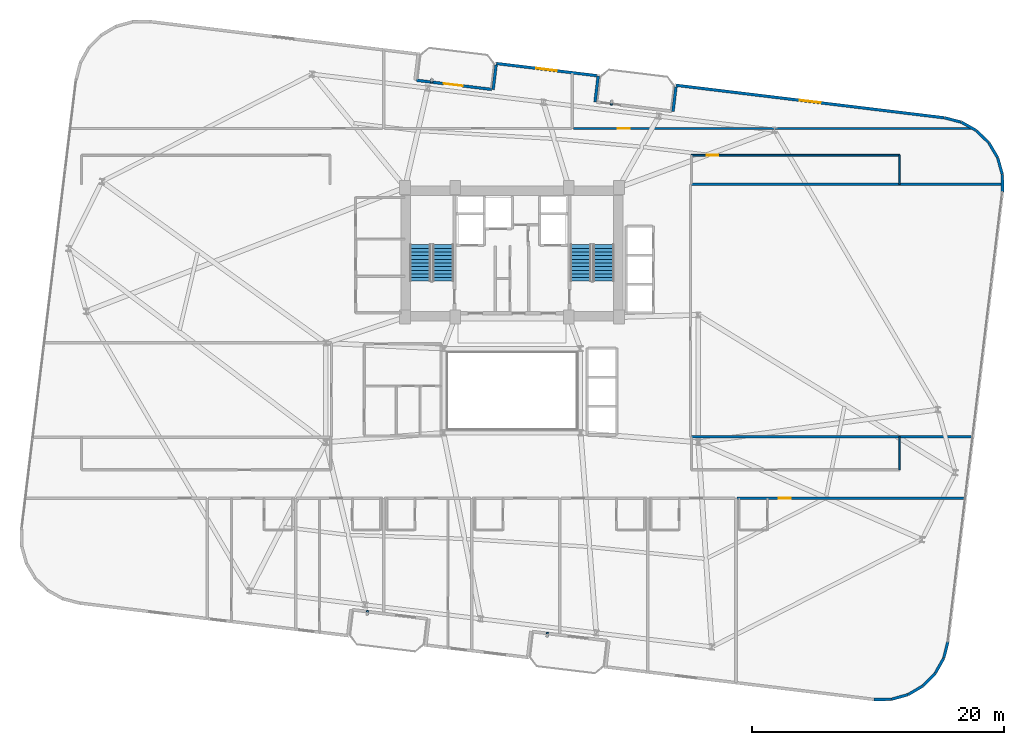
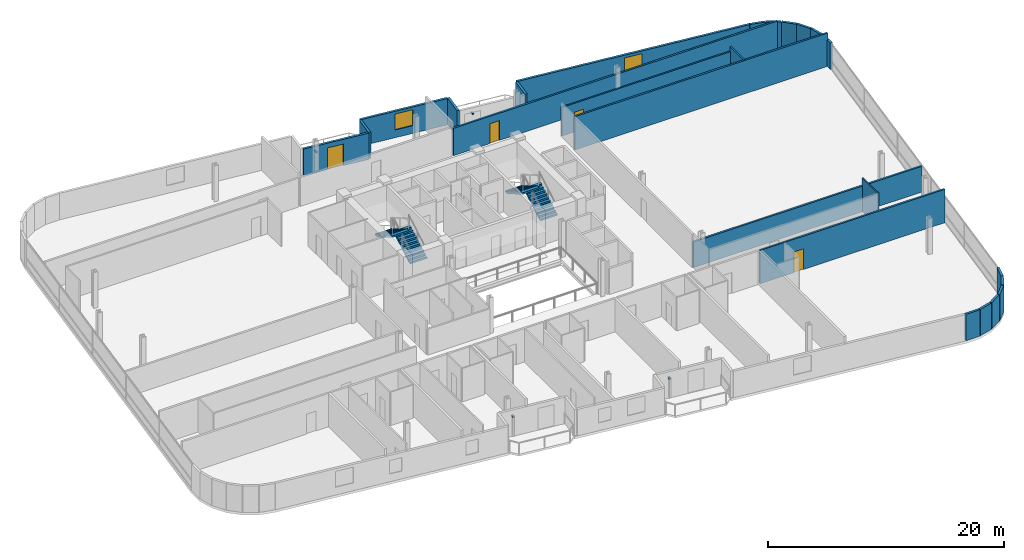
# One storey, part 24 of 26: 25 walls, 4 discrete accessories, 4 doors, 4 stair flights, 2 windows, 6 openings, 2 elements without a shape of their own.
"""IFC4 building model written with IfcOpenShell, lengths in metres."""

from ifc_helpers import new_model, si_unit, direction, frame, frame_2d, origin, origin_2d, place, context, subcontext, project, spatial, polyline, rectangle, outline, extrude, source, transform, mapped, material, layer, layer_set, type_object, element, fill, aggregate, save


model = new_model("IFC4")

# Units and contexts
model_context = context("Model", 3, precision=1e-05, world=origin(), true_north=direction((0.0, 1.0)))
body_context = subcontext(model_context, "Body", "Model", "MODEL_VIEW")
ifc_project = project(units=[si_unit("LENGTHUNIT", "METRE"), si_unit("AREAUNIT", "SQUARE_METRE"), si_unit("VOLUMEUNIT", "CUBIC_METRE"), si_unit("PLANEANGLEUNIT", "RADIAN"), si_unit("MASSUNIT", "GRAM", prefix="KILO")], contexts=[model_context])

# Site, building, storey
site_placement = place(None, origin())
site = spatial("IfcSite", under=ifc_project, at=site_placement, CompositionType="ELEMENT")
building_placement = place(site_placement, origin())
building = spatial("IfcBuilding", under=site, at=building_placement, Name="Varnelok Gate Tower", CompositionType="ELEMENT")
storey_placement = place(building_placement, frame((0.0, 0.0, 155.0)))
storey = spatial("IfcBuildingStorey", under=building, at=storey_placement, Name="L39", CompositionType="ELEMENT", Elevation=155.0)

# Wall, opening, door
ifc_material_1 = material(Name="Concrete C45/55", Category="concrete")
ifc_layer_1 = layer(ifc_material_1, 0.219970703125)
ifc_layer_set_1 = layer_set([ifc_layer_1], Name="Concrete C45/55")
wall_type_1 = type_object("IfcWallType", Name="EW-BALC-220", PredefinedType="SOLIDWALL", material=ifc_layer_set_1)
wall_1_placement = place(storey_placement, frame((31.624267578125, 47.5634765625, 0.0), z_axis=(0.0, 0.0, 1.0), x_axis=(0.992729951822, -0.120362962556, 0.0)))
wall_1 = element("IfcWall", 1, at=wall_1_placement, inside=storey, type_object=wall_type_1, Name="L39 North Terrace Envelope Wall 3", PredefinedType="SOLIDWALL", context=body_context, shape_type="SweptSolid", body=[
    extrude(rectangle(XDim=6.0, YDim=0.219970703125, at=frame_2d((3.0, 0.0))), origin(), (0.0, 0.0, 1.0), 2.72998046875),
])
opening_1_placement = place(wall_1_placement, frame((2.176025390625, 0.0, 0.0)))
opening_1 = element("IfcOpeningElement", 2, at=opening_1_placement, cuts=wall_1, Name="Opening BD-1", PredefinedType="OPENING", context=body_context, shape_type="SweptSolid", body=[
    extrude(rectangle(XDim=1.5, YDim=2.25, at=frame_2d((0.75, 1.125))), frame((0.0, 0.119873046875, 0.0), z_axis=(0.0, -1.0, 0.0), x_axis=(1.0, 0.0, 0.0)), (0.0, 0.0, 1.0), 0.239990234375),
])
ifc_material_2 = material(Name="Anodized Aluminum Alloy 6063-T6", Category="aluminium")
door_type_1 = type_object("IfcDoorType", Name="DR-EXT-BALC1500", OperationType="NOTDEFINED", PredefinedType="DOOR", material=ifc_material_2)
door_1_placement = place(opening_1_placement, origin())
door_1 = element("IfcDoor", 3, at=door_1_placement, inside=storey, type_object=door_type_1, Name="L39 North Balcony Glazed Door 3", OperationType="SINGLE_SWING_RIGHT", OverallHeight=2.25, OverallWidth=1.5, PredefinedType="DOOR", context=body_context, shape_type="SweptSolid", body=[
    extrude(rectangle(XDim=1.5, YDim=2.25, at=frame_2d((0.75, 1.125))), frame((0.0, 0.02490234375, 0.0), z_axis=(0.0, -1.0, 0.0), x_axis=(1.0, 0.0, 0.0)), (0.0, 0.0, 1.0), 0.050048828125),
])
fill(opening_1, door_1)

# Walls
wall_2_placement = place(storey_placement, frame((67.984375, -1.63671875, 0.0), z_axis=(0.0, 0.0, 1.0), x_axis=(0.999945887077, 0.010403024475, 0.0)))
element("IfcWall", 4, at=wall_2_placement, inside=storey, type_object=wall_type_1, Name="L39 Perimeter Facade Closure Wall 14", PredefinedType="SOLIDWALL", context=body_context, shape_type="SweptSolid", body=[
    extrude(rectangle(XDim=1.361083984375, YDim=0.219970703125, at=frame_2d((0.6806640625, 0.0))), origin(), (0.0, 0.0, 1.0), 2.72998046875),
])
wall_3_placement = place(storey_placement, frame((69.369384765625, -1.615966796875, 0.0), z_axis=(0.0, 0.0, 1.0), x_axis=(0.963194128812, 0.268806752562, 0.0)))
element("IfcWall", 5, at=wall_3_placement, inside=storey, type_object=wall_type_1, Name="L39 Perimeter Facade Closure Wall 15", PredefinedType="SOLIDWALL", context=body_context, shape_type="SweptSolid", body=[
    extrude(rectangle(XDim=1.353271484375, YDim=0.219970703125, at=frame_2d((0.6767578125, 0.0))), origin(), (0.0, 0.0, 1.0), 2.72998046875),
])
for number, where, z_axis, x_axis, name in (
    (6, (70.6943359375, -1.239501953125, 0.0), (0.0, 0.0, 1.0), (0.860865455241, 0.508832652228, 0.0), "L39 Perimeter Facade Closure Wall 16"),
    (7, (71.876708984375, -0.533203125, 0.0), (0.0, 0.0, 1.0), (0.69976104234, 0.714376989847, 0.0), "L39 Perimeter Facade Closure Wall 17"),
    (8, (72.835693359375, 0.455078125, 0.0), (0.0, 0.0, 1.0), (0.491117621399, 0.871093268227, 0.0), "L39 Perimeter Facade Closure Wall 18"),
):
    element("IfcWall", number, at=place(storey_placement, frame(where, z_axis=z_axis, x_axis=x_axis)), inside=storey, type_object=wall_type_1, Name=name, PredefinedType="SOLIDWALL", context=body_context, shape_type="SweptSolid", body=[
        extrude(rectangle(XDim=1.35302734375, YDim=0.219970703125, at=frame_2d((0.676513671875, 0.0))), origin(), (0.0, 0.0, 1.0), 2.72998046875),
    ])
wall_4_placement = place(storey_placement, frame((73.506591796875, 1.658203125, 0.0), z_axis=(0.0, 0.0, 1.0), x_axis=(0.248857256909, 0.968540172468, 0.0)))
element("IfcWall", 9, at=wall_4_placement, inside=storey, type_object=wall_type_1, Name="L39 Perimeter Facade Closure Wall 19", PredefinedType="SOLIDWALL", context=body_context, shape_type="SweptSolid", body=[
    extrude(rectangle(XDim=1.352783203125, YDim=0.219970703125, at=frame_2d((0.67626953125, 0.0))), origin(), (0.0, 0.0, 1.0), 2.72998046875),
])
wall_5_placement = place(storey_placement, frame((78.175537109375, 38.706787109375, 0.0), z_axis=(0.0, 0.0, 1.0), x_axis=(-0.010096916637, 0.999949024838, 0.0)))
element("IfcWall", 10, at=wall_5_placement, inside=storey, type_object=wall_type_1, Name="L39 Perimeter Facade Closure Wall 20", PredefinedType="SOLIDWALL", context=body_context, shape_type="SweptSolid", body=[
    extrude(rectangle(XDim=1.378173828125, YDim=0.219970703125, at=frame_2d((0.68896484375, 0.0))), origin(), (0.0, 0.0, 1.0), 2.72998046875),
])
wall_6_placement = place(storey_placement, frame((78.15478515625, 40.10888671875, 0.0), z_axis=(0.0, 0.0, 1.0), x_axis=(-0.268639368869, 0.963240826322, 0.0)))
element("IfcWall", 11, at=wall_6_placement, inside=storey, type_object=wall_type_1, Name="L39 Perimeter Facade Closure Wall 21", PredefinedType="SOLIDWALL", context=body_context, shape_type="SweptSolid", body=[
    extrude(rectangle(XDim=1.353271484375, YDim=0.219970703125, at=frame_2d((0.6767578125, 0.0))), origin(), (0.0, 0.0, 1.0), 2.72998046875),
])
for number, where, z_axis, x_axis, name in (
    (12, (77.7783203125, 41.433837890625, 0.0), (0.0, 0.0, 1.0), (-0.508698913794, 0.860944490142, 0.0), "L39 Perimeter Facade Closure Wall 22"),
    (13, (77.072265625, 42.6162109375, 0.0), (0.0, 0.0, 1.0), (-0.714376989847, 0.69976104234, 0.0), "L39 Perimeter Facade Closure Wall 23"),
    (14, (76.083740234375, 43.5751953125, 0.0), (0.0, 0.0, 1.0), (-0.871093268227, 0.491117621399, 0.0), "L39 Perimeter Facade Closure Wall 24"),
):
    element("IfcWall", number, at=place(storey_placement, frame(where, z_axis=z_axis, x_axis=x_axis)), inside=storey, type_object=wall_type_1, Name=name, PredefinedType="SOLIDWALL", context=body_context, shape_type="SweptSolid", body=[
        extrude(rectangle(XDim=1.35302734375, YDim=0.219970703125, at=frame_2d((0.676513671875, 0.0))), origin(), (0.0, 0.0, 1.0), 2.72998046875),
    ])
wall_7_placement = place(storey_placement, frame((74.880859375, 44.24609375, 0.0), z_axis=(0.0, 0.0, 1.0), x_axis=(-0.968549775063, 0.248819881091, 0.0)))
element("IfcWall", 15, at=wall_7_placement, inside=storey, type_object=wall_type_1, Name="L39 Perimeter Facade Closure Wall 25", PredefinedType="SOLIDWALL", context=body_context, shape_type="SweptSolid", body=[
    extrude(rectangle(XDim=1.36083984375, YDim=0.219970703125, at=frame_2d((0.680419921875, 0.0))), origin(), (0.0, 0.0, 1.0), 2.72998046875),
])

# Wall, opening, window
wall_8_placement = place(storey_placement, frame((73.537841796875, 44.587890625, 0.0), z_axis=(0.0, 0.0, 1.0), x_axis=(-0.992733493583, 0.120333747213, 0.0)))
wall_8 = element("IfcWall", 16, at=wall_8_placement, inside=storey, type_object=wall_type_1, Name="L39 Perimeter Facade Closure Wall 26", PredefinedType="SOLIDWALL", context=body_context, shape_type="SweptSolid", body=[
    extrude(rectangle(XDim=21.447021484375, YDim=0.219970703125, at=frame_2d((10.7236328125, 0.0))), origin(), (0.0, 0.0, 1.0), 2.72998046875),
])
opening_2_placement = place(wall_8_placement, frame((9.898681640625, 0.0, 0.800048828125)))
opening_2 = element("IfcOpeningElement", 17, at=opening_2_placement, cuts=wall_8, Name="Opening WN3", PredefinedType="OPENING", context=body_context, shape_type="SweptSolid", body=[
    extrude(rectangle(XDim=1.64990234375, YDim=1.64990234375, at=frame_2d((0.824951171875, 0.824951171875))), frame((0.0, 0.119873046875, 0.0), z_axis=(0.0, -1.0, 0.0), x_axis=(1.0, 0.0, 0.0)), (0.0, 0.0, 1.0), 0.239990234375),
])
ifc_material_3 = material(Name="Low-E Laminated Double Glazing IGU", Category="glass")
window_type = type_object("IfcWindowType", Name="WN-HTL-1650", PartitioningType="SINGLE_PANEL", PredefinedType="WINDOW", material=ifc_material_3)
window_1_placement = place(opening_2_placement, origin())
window_1 = element("IfcWindow", 18, at=window_1_placement, inside=storey, type_object=window_type, Name="L39 Perimeter Vision Window 26", OverallHeight=1.64990234375, OverallWidth=1.64990234375, PartitioningType="SINGLE_PANEL", PredefinedType="WINDOW", context=body_context, shape_type="SweptSolid", body=[
    extrude(rectangle(XDim=1.64990234375, YDim=1.64990234375, at=frame_2d((0.824951171875, 0.824951171875))), frame((0.0, 0.030029296875, 0.0), z_axis=(0.0, -1.0, 0.0), x_axis=(1.0, 0.0, 0.0)), (0.0, 0.0, 1.0), 0.06005859375),
])
fill(opening_2, window_1)

# Walls
wall_9_placement = place(storey_placement, frame((52.2314453125, 47.044677734375, 0.0), z_axis=(0.0, 0.0, 1.0), x_axis=(-0.120275992932, -0.992740492538, 0.0)))
element("IfcWall", 19, at=wall_9_placement, inside=storey, type_object=wall_type_1, Name="L39 Perimeter Facade Closure Wall 27", PredefinedType="SOLIDWALL", context=body_context, shape_type="SweptSolid", body=[
    extrude(rectangle(XDim=1.97509765625, YDim=0.219970703125, at=frame_2d((0.987548828125, 0.0))), origin(), (0.0, 0.0, 1.0), 2.72998046875),
])
wall_10_placement = place(storey_placement, frame((45.79931640625, 45.8349609375, 0.0), z_axis=(0.0, 0.0, 1.0), x_axis=(0.120314009587, 0.992735885871, 0.0)))
element("IfcWall", 20, at=wall_10_placement, inside=storey, type_object=wall_type_1, Name="L39 Perimeter Facade Closure Wall 28", PredefinedType="SOLIDWALL", context=body_context, shape_type="SweptSolid", body=[
    extrude(rectangle(XDim=2.10009765625, YDim=0.219970703125, at=frame_2d((1.050048828125, 0.0))), origin(), (0.0, 0.0, 1.0), 2.72998046875),
])

# Wall, opening, window
wall_11_placement = place(storey_placement, frame((45.927734375, 47.934814453125, 0.0), z_axis=(0.0, 0.0, 1.0), x_axis=(-0.992730591876, 0.120357683402, 0.0)))
wall_11 = element("IfcWall", 21, at=wall_11_placement, inside=storey, type_object=wall_type_1, Name="L39 Perimeter Facade Closure Wall 29", PredefinedType="SOLIDWALL", context=body_context, shape_type="SweptSolid", body=[
    extrude(rectangle(XDim=8.03466796875, YDim=0.219970703125, at=frame_2d((4.017333984375, 0.0))), origin(), (0.0, 0.0, 1.0), 2.72998046875),
])
opening_3_placement = place(wall_11_placement, frame((3.1923828125, 0.0, 0.800048828125)))
opening_3 = element("IfcOpeningElement", 22, at=opening_3_placement, cuts=wall_11, Name="Opening WN3", PredefinedType="OPENING", context=body_context, shape_type="SweptSolid", body=[
    extrude(rectangle(XDim=1.64990234375, YDim=1.64990234375, at=frame_2d((0.824951171875, 0.824951171875))), frame((0.0, 0.119873046875, 0.0), z_axis=(0.0, -1.0, 0.0), x_axis=(1.0, 0.0, 0.0)), (0.0, 0.0, 1.0), 0.239990234375),
])
window_2_placement = place(opening_3_placement, origin())
window_2 = element("IfcWindow", 23, at=window_2_placement, inside=storey, type_object=window_type, Name="L39 Perimeter Vision Window 29", OverallHeight=1.64990234375, OverallWidth=1.64990234375, PartitioningType="SINGLE_PANEL", PredefinedType="WINDOW", context=body_context, shape_type="SweptSolid", body=[
    extrude(rectangle(XDim=1.64990234375, YDim=1.64990234375, at=frame_2d((0.824951171875, 0.824951171875))), frame((0.0, 0.030029296875, 0.0), z_axis=(0.0, -1.0, 0.0), x_axis=(1.0, 0.0, 0.0)), (0.0, 0.0, 1.0), 0.06005859375),
])
fill(opening_3, window_2)

# Wall
wall_12_placement = place(storey_placement, frame((37.936279296875, 48.777587890625, 0.0), z_axis=(0.0, 0.0, 1.0), x_axis=(-0.120397815541, -0.992725725472, 0.0)))
element("IfcWall", 24, at=wall_12_placement, inside=storey, type_object=wall_type_1, Name="L39 Perimeter Facade Closure Wall 30", PredefinedType="SOLIDWALL", context=body_context, shape_type="SweptSolid", body=[
    extrude(rectangle(XDim=1.97509765625, YDim=0.219970703125, at=frame_2d((0.987548828125, 0.0))), origin(), (0.0, 0.0, 1.0), 2.72998046875),
])

# Wall, opening, door
ifc_material_4 = material(Name="Gypsum Plasterboard Acoustic Partition", Category="gypsum")
ifc_layer_2 = layer(ifc_material_4, 0.179931640625)
ifc_layer_set_2 = layer_set([ifc_layer_2], Name="Gypsum Plasterboard Acoustic Partition")
wall_type_2 = type_object("IfcWallType", Name="PW-CORR-180", PredefinedType="PARTITIONING", material=ifc_layer_set_2)
wall_13_placement = place(storey_placement, frame((57.080078125, 14.35009765625, 0.0), z_axis=(0.0, 0.0, 1.0), x_axis=(1.0, 0.0, 0.0)))
wall_13 = element("IfcWall", 25, at=wall_13_placement, inside=storey, type_object=wall_type_2, Name="Interior Partition", PredefinedType="PARTITIONING", context=body_context, shape_type="SweptSolid", body=[
    extrude(rectangle(XDim=18.083740234375, YDim=0.179931640625, at=frame_2d((9.0419921875, 0.0))), origin(), (0.0, 0.0, 1.0), 3.449951171875),
])
opening_4_placement = place(wall_13_placement, frame((3.320068359375, 0.0, 0.0)))
opening_4 = element("IfcOpeningElement", 26, at=opening_4_placement, cuts=wall_13, Name="Opening D-HT", PredefinedType="OPENING", context=body_context, shape_type="SweptSolid", body=[
    extrude(rectangle(XDim=0.949951171875, YDim=2.14990234375, at=frame_2d((0.47509765625, 1.074951171875))), frame((0.0, 0.099853515625, 0.0), z_axis=(0.0, -1.0, 0.0), x_axis=(1.0, 0.0, 0.0)), (0.0, 0.0, 1.0), 0.199951171875),
])
ifc_material_5 = material(Name="Engineered Hardwood Timber", Category="wood")
door_type_2 = type_object("IfcDoorType", Name="DR-HTL-950", OperationType="NOTDEFINED", PredefinedType="DOOR", material=ifc_material_5)
door_2_placement = place(opening_4_placement, origin())
door_2 = element("IfcDoor", 27, at=door_2_placement, inside=storey, type_object=door_type_2, Name="L39 Guest Room 08 Entrance Door", OperationType="SINGLE_SWING_LEFT", OverallHeight=2.14990234375, OverallWidth=0.949951171875, PredefinedType="DOOR", context=body_context, shape_type="SweptSolid", body=[
    extrude(rectangle(XDim=0.949951171875, YDim=2.14990234375, at=frame_2d((0.47509765625, 1.074951171875))), frame((0.0, 0.02490234375, 0.0), z_axis=(0.0, -1.0, 0.0), x_axis=(1.0, 0.0, 0.0)), (0.0, 0.0, 1.0), 0.050048828125),
])
fill(opening_4, door_2)

wall_14_placement = place(storey_placement, frame((44.080078125, 43.72998046875, 0.0), z_axis=(0.0, 0.0, 1.0), x_axis=(1.0, 0.0, 0.0)))
wall_14 = element("IfcWall", 28, at=wall_14_placement, inside=storey, type_object=wall_type_2, Name="Interior Partition", PredefinedType="PARTITIONING", context=body_context, shape_type="SweptSolid", body=[
    extrude(rectangle(XDim=31.689208984375, YDim=0.179931640625, at=frame_2d((15.8447265625, 0.0))), origin(), (0.0, 0.0, 1.0), 2.823974609375),
])
opening_5_placement = place(wall_14_placement, frame((3.534912109375, 0.0, 0.0)))
opening_5 = element("IfcOpeningElement", 29, at=opening_5_placement, cuts=wall_14, Name="Opening D-I2", PredefinedType="OPENING", context=body_context, shape_type="SweptSolid", body=[
    extrude(rectangle(XDim=0.949951171875, YDim=2.050048828125, at=frame_2d((0.47509765625, 1.02490234375))), frame((0.0, 0.099853515625, 0.0), z_axis=(0.0, -1.0, 0.0), x_axis=(1.0, 0.0, 0.0)), (0.0, 0.0, 1.0), 0.199951171875),
])
door_type_3 = type_object("IfcDoorType", Name="DR-INT-950", OperationType="NOTDEFINED", PredefinedType="DOOR", material=ifc_material_5)
door_3_placement = place(opening_5_placement, origin())
door_3 = element("IfcDoor", 30, at=door_3_placement, inside=storey, type_object=door_type_3, Name="L39 Wellness Spa Lounge Door", OperationType="SINGLE_SWING_LEFT", OverallHeight=2.050048828125, OverallWidth=0.949951171875, PredefinedType="DOOR", context=body_context, shape_type="SweptSolid", body=[
    extrude(rectangle(XDim=0.949951171875, YDim=2.050048828125, at=frame_2d((0.47509765625, 1.02490234375))), frame((0.0, 0.02490234375, 0.0), z_axis=(0.0, -1.0, 0.0), x_axis=(1.0, 0.0, 0.0)), (0.0, 0.0, 1.0), 0.050048828125),
])
fill(opening_5, door_3)

# Walls
wall_15_placement = place(storey_placement, frame((53.389892578125, 19.239990234375, 0.0), z_axis=(0.0, 0.0, 1.0), x_axis=(1.0, 0.0, 0.0)))
element("IfcWall", 31, at=wall_15_placement, inside=storey, type_object=wall_type_2, Name="Interior Partition", PredefinedType="PARTITIONING", context=body_context, shape_type="SweptSolid", body=[
    extrude(rectangle(XDim=22.36669921875, YDim=0.179931640625, at=frame_2d((11.183349609375, 0.0))), origin(), (0.0, 0.0, 1.0), 2.662109375),
])
wall_16_placement = place(storey_placement, frame((53.389892578125, 39.300048828125, 0.0), z_axis=(0.0, 0.0, 1.0), x_axis=(1.0, 0.0, 0.0)))
element("IfcWall", 32, at=wall_16_placement, inside=storey, type_object=wall_type_2, Name="Interior Partition", PredefinedType="PARTITIONING", context=body_context, shape_type="SweptSolid", body=[
    extrude(rectangle(XDim=24.73974609375, YDim=0.179931640625, at=frame_2d((12.369873046875, 0.0))), origin(), (0.0, 0.0, 1.0), 3.449951171875),
])
ifc_layer_3 = layer(ifc_material_4, 0.125)
ifc_layer_set_3 = layer_set([ifc_layer_3], Name="Gypsum Plasterboard Acoustic Partition")
wall_type_3 = type_object("IfcWallType", Name="PW-PART-125", PredefinedType="PARTITIONING", material=ifc_layer_set_3)
wall_17_placement = place(storey_placement, frame((70.0, 16.610107421875, 0.0), z_axis=(0.0, 0.0, 1.0), x_axis=(0.0, 1.0, 0.0)))
element("IfcWall", 33, at=wall_17_placement, inside=storey, type_object=wall_type_3, Name="Interior Partition", PredefinedType="PARTITIONING", context=body_context, shape_type="SweptSolid", body=[
    extrude(rectangle(XDim=2.6298828125, YDim=0.125, at=frame_2d((1.31494140625, 0.0))), origin(), (0.0, 0.0, 1.0), 3.449951171875),
])
wall_18_placement = place(storey_placement, frame((70.0, 39.300048828125, 0.0), z_axis=(0.0, 0.0, 1.0), x_axis=(0.0, 1.0, 0.0)))
element("IfcWall", 34, at=wall_18_placement, inside=storey, type_object=wall_type_3, Name="Interior Partition", PredefinedType="PARTITIONING", context=body_context, shape_type="SweptSolid", body=[
    extrude(rectangle(XDim=2.31005859375, YDim=0.125, at=frame_2d((1.155029296875, 0.0))), origin(), (0.0, 0.0, 1.0), 3.449951171875),
])

# Wall, opening, door
ifc_layer_4 = layer(ifc_material_4, 0.14990234375)
ifc_layer_set_4 = layer_set([ifc_layer_4], Name="Gypsum Plasterboard Acoustic Partition")
wall_type_4 = type_object("IfcWallType", Name="PW-PART-150", PredefinedType="PARTITIONING", material=ifc_layer_set_4)
wall_19_placement = place(storey_placement, frame((53.449951171875, 41.610107421875, 0.0), z_axis=(0.0, 0.0, 1.0), x_axis=(1.0, 0.0, 0.0)))
wall_19 = element("IfcWall", 35, at=wall_19_placement, inside=storey, type_object=wall_type_4, Name="Interior Partition", PredefinedType="PARTITIONING", context=body_context, shape_type="SweptSolid", body=[
    extrude(rectangle(XDim=16.550048828125, YDim=0.14990234375, at=frame_2d((8.27490234375, 0.0))), origin(), (0.0, 0.0, 1.0), 2.971923828125),
])
opening_6_placement = place(wall_19_placement, frame((1.219970703125, 0.0, 0.0)))
opening_6 = element("IfcOpeningElement", 36, at=opening_6_placement, cuts=wall_19, Name="Opening D-I3", PredefinedType="OPENING", context=body_context, shape_type="SweptSolid", body=[
    extrude(rectangle(XDim=0.919921875, YDim=2.050048828125, at=frame_2d((0.4599609375, 1.02490234375))), frame((0.0, 0.0849609375, 0.0), z_axis=(0.0, -1.0, 0.0), x_axis=(1.0, 0.0, 0.0)), (0.0, 0.0, 1.0), 0.169921875),
])
door_type_4 = type_object("IfcDoorType", Name="DR-INT-920", OperationType="NOTDEFINED", PredefinedType="DOOR", material=ifc_material_5)
door_4_placement = place(opening_6_placement, origin())
door_4 = element("IfcDoor", 37, at=door_4_placement, inside=storey, type_object=door_type_4, Name="L39 North Study 2 Door", OperationType="SINGLE_SWING_RIGHT", OverallHeight=2.050048828125, OverallWidth=0.919921875, PredefinedType="DOOR", context=body_context, shape_type="SweptSolid", body=[
    extrude(rectangle(XDim=0.919921875, YDim=2.050048828125, at=frame_2d((0.4599609375, 1.02490234375))), frame((0.0, 0.02490234375, 0.0), z_axis=(0.0, -1.0, 0.0), x_axis=(1.0, 0.0, 0.0)), (0.0, 0.0, 1.0), 0.050048828125),
])
fill(opening_6, door_4)

# Stair, stair flights
ifc_material_6 = material(Name="Concrete C50/60", Category="concrete")
stair_type = type_object("IfcStairType", Name="STR-CORE-1650", PredefinedType="HALF_TURN_STAIR", material=ifc_material_6)
stair_1_placement = place(storey_placement, origin())
stair_1 = element("IfcStair", 38, at=stair_1_placement, inside=storey, type_object=stair_type, Name="L39 Exit Stair ST-1", PredefinedType="HALF_TURN_STAIR")
stair_flight_type = type_object("IfcStairFlightType", Name="SFL-CORE-1650", PredefinedType="STRAIGHT", material=ifc_material_6)
stair_flight_1_placement = place(storey_placement, frame((33.72509765625, 31.60009765625, 0.0), z_axis=(0.0, 0.0, 1.0), x_axis=(0.0, 1.0, 0.0)))
stair_flight_1 = element("IfcStairFlight", 39, at=stair_flight_1_placement, type_object=stair_flight_type, Name="ST-1 flight 1", NumberOfRisers=11, NumberOfTreads=10, PredefinedType="STRAIGHT", RiserHeight=0.168181818, TreadLength=0.29, context=body_context, shape_type="SweptSolid", body=[
    extrude(outline(polyline([(0.0, 0.0), (0.0, 0.168212890625), (0.2900390625, 0.168212890625), (0.2900390625, 0.33642578125), (0.580078125, 0.33642578125), (0.580078125, 0.504638671875), (0.8701171875, 0.504638671875), (0.8701171875, 0.672607421875), (1.159912109375, 0.672607421875), (1.159912109375, 0.8408203125), (1.449951171875, 0.8408203125), (1.449951171875, 1.009033203125), (1.739990234375, 1.009033203125), (1.739990234375, 1.17724609375), (2.030029296875, 1.17724609375), (2.030029296875, 1.345458984375), (2.320068359375, 1.345458984375), (2.320068359375, 1.513671875), (2.610107421875, 1.513671875), (2.610107421875, 1.681884765625), (2.89990234375, 1.681884765625), (2.89990234375, 1.85009765625), (2.89990234375, 1.508544921875), (0.298828125, 0.0), (0.0, 0.0)])), frame((0.0, 0.824951171875, 0.0), z_axis=(0.0, -1.0, 0.0), x_axis=(1.0, 0.0, 0.0)), (0.0, 0.0, 1.0), 1.64990234375),
])
stair_flight_2_placement = place(storey_placement, frame((31.925048828125, 34.5, 1.85009765625), z_axis=(0.0, 0.0, 1.0), x_axis=(0.0, -1.0, 0.0)))
stair_flight_2 = element("IfcStairFlight", 40, at=stair_flight_2_placement, type_object=stair_flight_type, Name="ST-1 flight 2", NumberOfRisers=11, NumberOfTreads=10, PredefinedType="STRAIGHT", RiserHeight=0.168181818, TreadLength=0.29, context=body_context, shape_type="SweptSolid", body=[
    extrude(outline(polyline([(0.0, 0.0), (0.0, 0.168212890625), (0.2900390625, 0.168212890625), (0.2900390625, 0.33642578125), (0.580078125, 0.33642578125), (0.580078125, 0.504638671875), (0.8701171875, 0.504638671875), (0.8701171875, 0.672607421875), (1.159912109375, 0.672607421875), (1.159912109375, 0.8408203125), (1.449951171875, 0.8408203125), (1.449951171875, 1.009033203125), (1.739990234375, 1.009033203125), (1.739990234375, 1.17724609375), (2.030029296875, 1.17724609375), (2.030029296875, 1.345458984375), (2.320068359375, 1.345458984375), (2.320068359375, 1.513671875), (2.610107421875, 1.513671875), (2.610107421875, 1.681884765625), (2.89990234375, 1.681884765625), (2.89990234375, 1.85009765625), (2.89990234375, 1.508544921875), (0.298828125, 0.0), (0.0, 0.0)])), frame((0.0, 0.824951171875, 0.0), z_axis=(0.0, -1.0, 0.0), x_axis=(1.0, 0.0, 0.0)), (0.0, 0.0, 1.0), 1.64990234375),
])
aggregate(stair_1, [stair_flight_1, stair_flight_2])

stair_2_placement = place(storey_placement, origin())
stair_2 = element("IfcStair", 41, at=stair_2_placement, inside=storey, type_object=stair_type, Name="L39 Exit Stair ST-2", PredefinedType="HALF_TURN_STAIR")
stair_flight_3_placement = place(storey_placement, frame((46.47509765625, 31.60009765625, 0.0), z_axis=(0.0, 0.0, 1.0), x_axis=(0.0, 1.0, 0.0)))
stair_flight_3 = element("IfcStairFlight", 42, at=stair_flight_3_placement, type_object=stair_flight_type, Name="ST-2 flight 1", NumberOfRisers=11, NumberOfTreads=10, PredefinedType="STRAIGHT", RiserHeight=0.168181818, TreadLength=0.29, context=body_context, shape_type="SweptSolid", body=[
    extrude(outline(polyline([(0.0, 0.0), (0.0, 0.168212890625), (0.2900390625, 0.168212890625), (0.2900390625, 0.33642578125), (0.580078125, 0.33642578125), (0.580078125, 0.504638671875), (0.8701171875, 0.504638671875), (0.8701171875, 0.672607421875), (1.159912109375, 0.672607421875), (1.159912109375, 0.8408203125), (1.449951171875, 0.8408203125), (1.449951171875, 1.009033203125), (1.739990234375, 1.009033203125), (1.739990234375, 1.17724609375), (2.030029296875, 1.17724609375), (2.030029296875, 1.345458984375), (2.320068359375, 1.345458984375), (2.320068359375, 1.513671875), (2.610107421875, 1.513671875), (2.610107421875, 1.681884765625), (2.89990234375, 1.681884765625), (2.89990234375, 1.85009765625), (2.89990234375, 1.508544921875), (0.298828125, 0.0), (0.0, 0.0)])), frame((0.0, 0.824951171875, 0.0), z_axis=(0.0, -1.0, 0.0), x_axis=(1.0, 0.0, 0.0)), (0.0, 0.0, 1.0), 1.64990234375),
])
stair_flight_4_placement = place(storey_placement, frame((44.675048828125, 34.5, 1.85009765625), z_axis=(0.0, 0.0, 1.0), x_axis=(0.0, -1.0, 0.0)))
stair_flight_4 = element("IfcStairFlight", 43, at=stair_flight_4_placement, type_object=stair_flight_type, Name="ST-2 flight 2", NumberOfRisers=11, NumberOfTreads=10, PredefinedType="STRAIGHT", RiserHeight=0.168181818, TreadLength=0.29, context=body_context, shape_type="SweptSolid", body=[
    extrude(outline(polyline([(0.0, 0.0), (0.0, 0.168212890625), (0.2900390625, 0.168212890625), (0.2900390625, 0.33642578125), (0.580078125, 0.33642578125), (0.580078125, 0.504638671875), (0.8701171875, 0.504638671875), (0.8701171875, 0.672607421875), (1.159912109375, 0.672607421875), (1.159912109375, 0.8408203125), (1.449951171875, 0.8408203125), (1.449951171875, 1.009033203125), (1.739990234375, 1.009033203125), (1.739990234375, 1.17724609375), (2.030029296875, 1.17724609375), (2.030029296875, 1.345458984375), (2.320068359375, 1.345458984375), (2.320068359375, 1.513671875), (2.610107421875, 1.513671875), (2.610107421875, 1.681884765625), (2.89990234375, 1.681884765625), (2.89990234375, 1.85009765625), (2.89990234375, 1.508544921875), (0.298828125, 0.0), (0.0, 0.0)])), frame((0.0, 0.824951171875, 0.0), z_axis=(0.0, -1.0, 0.0), x_axis=(1.0, 0.0, 0.0)), (0.0, 0.0, 1.0), 1.64990234375),
])
aggregate(stair_2, [stair_flight_3, stair_flight_4])

# Discrete accessories
ifc_material_7 = material(Name="Structural Steel ASTM A500 Grade C", Category="steel")
discrete_accessory_type = type_object("IfcDiscreteAccessoryType", Name="ACC-BAGUETTE-BRK", PredefinedType="BRACKET", material=ifc_material_7)
shared_shape = source(origin(), body_context, "Body", "SweptSolid", [
    extrude(rectangle(XDim=0.159912109375, YDim=0.340087890625, at=origin_2d()), origin(), (0.0, 0.0, 1.0), 0.139892578125),
])
for number, where, z_axis, x_axis, name in (
    (44, (27.705810546875, 5.267578125, 1.97998046875), (0.0, 0.0, 1.0), (0.992732158755, -0.12034475881, 0.0), "L39 Terracotta Baguette Bracket 1.1"),
    (45, (42.0009765625, 3.53466796875, 1.97998046875), (0.0, 0.0, 1.0), (0.992732158755, -0.12034475881, 0.0), "L39 Terracotta Baguette Bracket 2.1"),
    (46, (32.8251953125, 47.49853515625, 1.97998046875), (0.0, 0.0, 1.0), (0.992732158755, -0.12034475881, 0.0), "L39 Terracotta Baguette Bracket 3.1"),
    (47, (47.12060546875, 45.765625, 1.97998046875), (0.0, 0.0, 1.0), (0.992732158755, -0.12034475881, 0.0), "L39 Terracotta Baguette Bracket 4.1"),
):
    element("IfcDiscreteAccessory", number, at=place(storey_placement, frame(where, z_axis=z_axis, x_axis=x_axis)), inside=storey, type_object=discrete_accessory_type, Name=name, PredefinedType="BRACKET", context=body_context, shape_type="MappedRepresentation", body=[
        mapped(shared_shape, transform((0.0, 0.0, 0.0), scale=1.0)),
    ])

save(model, "model.ifc")
